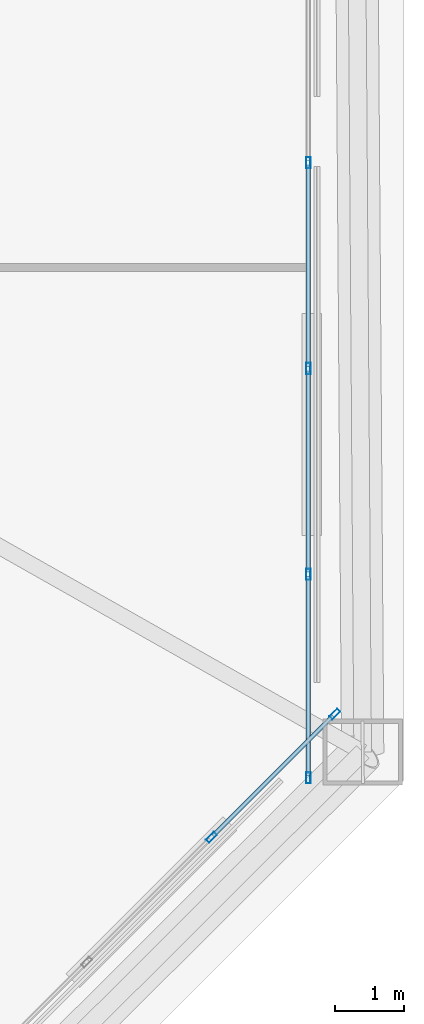
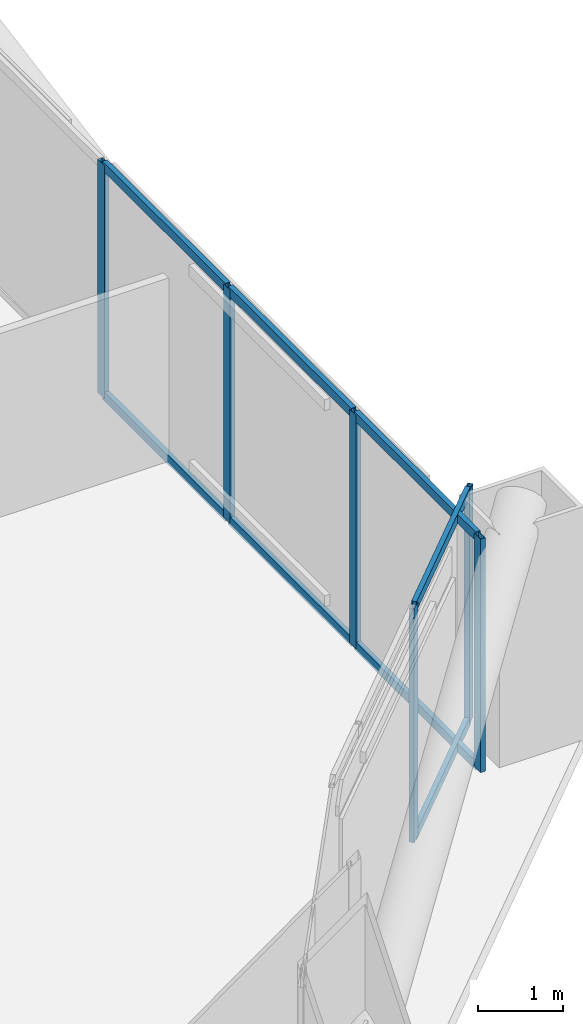
# One storey, part 25 of 50: 14 members, 2 elements without a shape of their own.
"""IFC4 building model written with IfcOpenShell, lengths in metres."""

from ifc_helpers import new_model, si_unit, direction, frame, origin, origin_2d, place, context, subcontext, project, spatial, hollow_rectangle, extrude, material, layer, layer_set, material_profile, profile_set, type_object, element, aggregate, save


model = new_model("IFC4")

# Units and contexts
model_context = context("Model", 3, precision=1e-05, world=origin(), true_north=direction((0.0, 1.0)))
body_context = subcontext(model_context, "Body", "Model", "MODEL_VIEW")
ifc_project = project(units=[si_unit("LENGTHUNIT", "METRE"), si_unit("AREAUNIT", "SQUARE_METRE"), si_unit("VOLUMEUNIT", "CUBIC_METRE"), si_unit("PLANEANGLEUNIT", "RADIAN"), si_unit("MASSUNIT", "GRAM", prefix="KILO")], contexts=[model_context])

# Site, building, storey
site_placement = place(None, origin())
site = spatial("IfcSite", under=ifc_project, at=site_placement, CompositionType="ELEMENT")
building_placement = place(site_placement, origin())
building = spatial("IfcBuilding", under=site, at=building_placement, Name="Caelvoria Tower", CompositionType="ELEMENT")
storey_placement = place(building_placement, frame((0.0, 0.0, 71.199951171875)))
storey = spatial("IfcBuildingStorey", under=building, at=storey_placement, Name="L18", CompositionType="ELEMENT", Elevation=71.199951171875)

# Curtain wall, members
ifc_material_1 = material(Name="Anodised Bronze Aluminium and Low-E Glass", Category="aluminium")
ifc_layer = layer(ifc_material_1, 0.18505859375, Name="Anodised Bronze Aluminium and Low-E Glass")
ifc_layer_set = layer_set([ifc_layer], Name="CW System 2 Lower Tower Bronze Unitised Facade - Anodised Bronze Aluminium and Low-E Glass")
curtain_wall_type = type_object("IfcCurtainWallType", Name="CW System 2 Lower Tower Bronze Unitised Facade", PredefinedType="NOTDEFINED", material=ifc_layer_set)
curtain_wall_1_placement = place(storey_placement, origin())
curtain_wall_1 = element("IfcCurtainWall", 1, at=curtain_wall_1_placement, inside=storey, type_object=curtain_wall_type, Name="CW-02 Curtain Wall L18-E1", PredefinedType="NOTDEFINED")
ifc_material_2 = material(Name="Anodised Bronze Architectural Aluminium", Category="aluminium")
ifc_material_profile_1 = material_profile(ifc_material_2, hollow_rectangle(XDim=0.06494140625, YDim=0.159912109375, WallThickness=0.00390625, at=origin_2d()), Name="Anodised Bronze Architectural Aluminium")
ifc_profile_set_1 = profile_set([ifc_material_profile_1], Name="CW_MULL_65X160 - Anodised Bronze Architectural Aluminium")
member_type_1 = type_object("IfcMemberType", Name="Curtain Wall Mullion 65x160 Bronze Aluminium", PredefinedType="MULLION", material=ifc_profile_set_1)
member_1_placement = place(storey_placement, frame((69.42431640625, 13.375732421875, 0.0), z_axis=(0.0, 0.0, 1.0), x_axis=(-0.707106781187, 0.707106781187, 0.0)))
member_1 = element("IfcMember", 2, at=member_1_placement, type_object=member_type_1, Name="CW-02 mullion 3", PredefinedType="MULLION", context=body_context, shape_type="SweptSolid", body=[
    extrude(hollow_rectangle(XDim=0.06494140625, YDim=0.159912109375, WallThickness=0.00390625, at=origin_2d()), origin(), (0.0, 0.0, 1.0), 3.360107421875),
])
member_2_placement = place(storey_placement, frame((71.201171875, 15.15283203125, 0.0), z_axis=(0.0, 0.0, 1.0), x_axis=(-0.707106781187, 0.707106781187, 0.0)))
member_2 = element("IfcMember", 3, at=member_2_placement, type_object=member_type_1, Name="CW-02 mullion 4", PredefinedType="MULLION", context=body_context, shape_type="SweptSolid", body=[
    extrude(hollow_rectangle(XDim=0.06494140625, YDim=0.159912109375, WallThickness=0.00390625, at=origin_2d()), origin(), (0.0, 0.0, 1.0), 3.360107421875),
])

curtain_wall_2_placement = place(storey_placement, origin())
curtain_wall_2 = element("IfcCurtainWall", 4, at=curtain_wall_2_placement, inside=storey, type_object=curtain_wall_type, Name="CW-02 Curtain Wall L18-E2", PredefinedType="NOTDEFINED")
member_3_placement = place(storey_placement, frame((70.820068359375, 14.232421875, 0.0), z_axis=(0.0, 0.0, 1.0), x_axis=(-1.0, 0.0, 0.0)))
member_3 = element("IfcMember", 5, at=member_3_placement, type_object=member_type_1, Name="CW-02 mullion 1", PredefinedType="MULLION", context=body_context, shape_type="SweptSolid", body=[
    extrude(hollow_rectangle(XDim=0.06494140625, YDim=0.159912109375, WallThickness=0.00390625, at=origin_2d()), origin(), (0.0, 0.0, 1.0), 3.360107421875),
])
member_4_placement = place(storey_placement, frame((70.820068359375, 17.166748046875, 0.0), z_axis=(0.0, 0.0, 1.0), x_axis=(-1.0, 0.0, 0.0)))
member_4 = element("IfcMember", 6, at=member_4_placement, type_object=member_type_1, Name="CW-02 mullion 2", PredefinedType="MULLION", context=body_context, shape_type="SweptSolid", body=[
    extrude(hollow_rectangle(XDim=0.06494140625, YDim=0.159912109375, WallThickness=0.00390625, at=origin_2d()), origin(), (0.0, 0.0, 1.0), 3.360107421875),
])
member_5_placement = place(storey_placement, frame((70.820068359375, 20.13330078125, 0.0), z_axis=(0.0, 0.0, 1.0), x_axis=(-1.0, 0.0, 0.0)))
member_5 = element("IfcMember", 7, at=member_5_placement, type_object=member_type_1, Name="CW-02 mullion 3", PredefinedType="MULLION", context=body_context, shape_type="SweptSolid", body=[
    extrude(hollow_rectangle(XDim=0.06494140625, YDim=0.159912109375, WallThickness=0.00390625, at=origin_2d()), origin(), (0.0, 0.0, 1.0), 3.360107421875),
])
member_6_placement = place(storey_placement, frame((70.820068359375, 23.10009765625, 0.0), z_axis=(0.0, 0.0, 1.0), x_axis=(-1.0, 0.0, 0.0)))
member_6 = element("IfcMember", 8, at=member_6_placement, type_object=member_type_1, Name="CW-02 mullion 4", PredefinedType="MULLION", context=body_context, shape_type="SweptSolid", body=[
    extrude(hollow_rectangle(XDim=0.06494140625, YDim=0.159912109375, WallThickness=0.00390625, at=origin_2d()), origin(), (0.0, 0.0, 1.0), 3.360107421875),
])

# Member
ifc_material_profile_2 = material_profile(ifc_material_2, hollow_rectangle(XDim=0.06494140625, YDim=0.1298828125, WallThickness=0.00341796875, at=origin_2d()), Name="Anodised Bronze Architectural Aluminium")
ifc_profile_set_2 = profile_set([ifc_material_profile_2], Name="CW_TRAN_65X130 - Anodised Bronze Architectural Aluminium")
member_type_2 = type_object("IfcMemberType", Name="Curtain Wall Transom 65x130 Bronze Aluminium", PredefinedType="USERDEFINED", material=ifc_profile_set_2)
member_7_placement = place(storey_placement, frame((69.447265625, 13.398681640625, 0.032470703125), z_axis=(0.707056916458, 0.707156642399, 0.0), x_axis=(-0.707156642399, 0.707056916458, 0.0)))
member_7 = element("IfcMember", 9, at=member_7_placement, type_object=member_type_2, Name="CW-02 transom 3.1", ObjectType="TRANSOM", PredefinedType="USERDEFINED", context=body_context, shape_type="SweptSolid", body=[
    extrude(hollow_rectangle(XDim=0.06494140625, YDim=0.1298828125, WallThickness=0.00341796875, at=origin_2d()), origin(), (0.0, 0.0, 1.0), 2.447998046875),
])

member_8_placement = place(storey_placement, frame((69.447265625, 13.398681640625, 3.32763671875), z_axis=(0.707056916458, 0.707156642399, 0.0), x_axis=(-0.707156642399, 0.707056916458, 0.0)))
member_8 = element("IfcMember", 10, at=member_8_placement, type_object=member_type_2, Name="CW-02 transom 3.2", ObjectType="TRANSOM", PredefinedType="USERDEFINED", context=body_context, shape_type="SweptSolid", body=[
    extrude(hollow_rectangle(XDim=0.06494140625, YDim=0.1298828125, WallThickness=0.00341796875, at=origin_2d()), origin(), (0.0, 0.0, 1.0), 2.447998046875),
])

aggregate(curtain_wall_1, [member_1, member_2, member_7, member_8])

member_9_placement = place(storey_placement, frame((70.820068359375, 14.264892578125, 0.032470703125), z_axis=(0.0, 1.0, 0.0), x_axis=(-1.0, 0.0, 0.0)))
member_9 = element("IfcMember", 11, at=member_9_placement, type_object=member_type_2, Name="CW-02 transom 1.1", ObjectType="TRANSOM", PredefinedType="USERDEFINED", context=body_context, shape_type="SweptSolid", body=[
    extrude(hollow_rectangle(XDim=0.06494140625, YDim=0.1298828125, WallThickness=0.00341796875, at=origin_2d()), origin(), (0.0, 0.0, 1.0), 2.869384765625),
])

member_10_placement = place(storey_placement, frame((70.820068359375, 14.264892578125, 3.32763671875), z_axis=(0.0, 1.0, 0.0), x_axis=(-1.0, 0.0, 0.0)))
member_10 = element("IfcMember", 12, at=member_10_placement, type_object=member_type_2, Name="CW-02 transom 1.2", ObjectType="TRANSOM", PredefinedType="USERDEFINED", context=body_context, shape_type="SweptSolid", body=[
    extrude(hollow_rectangle(XDim=0.06494140625, YDim=0.1298828125, WallThickness=0.00341796875, at=origin_2d()), origin(), (0.0, 0.0, 1.0), 2.869384765625),
])

member_11_placement = place(storey_placement, frame((70.820068359375, 17.19921875, 0.032470703125), z_axis=(0.0, 1.0, 0.0), x_axis=(-1.0, 0.0, 0.0)))
member_11 = element("IfcMember", 13, at=member_11_placement, type_object=member_type_2, Name="CW-02 transom 2.1", ObjectType="TRANSOM", PredefinedType="USERDEFINED", context=body_context, shape_type="SweptSolid", body=[
    extrude(hollow_rectangle(XDim=0.06494140625, YDim=0.1298828125, WallThickness=0.00341796875, at=origin_2d()), origin(), (0.0, 0.0, 1.0), 2.901611328125),
])

member_12_placement = place(storey_placement, frame((70.820068359375, 17.19921875, 3.32763671875), z_axis=(0.0, 1.0, 0.0), x_axis=(-1.0, 0.0, 0.0)))
member_12 = element("IfcMember", 14, at=member_12_placement, type_object=member_type_2, Name="CW-02 transom 2.2", ObjectType="TRANSOM", PredefinedType="USERDEFINED", context=body_context, shape_type="SweptSolid", body=[
    extrude(hollow_rectangle(XDim=0.06494140625, YDim=0.1298828125, WallThickness=0.00341796875, at=origin_2d()), origin(), (0.0, 0.0, 1.0), 2.901611328125),
])

member_13_placement = place(storey_placement, frame((70.820068359375, 20.165771484375, 0.032470703125), z_axis=(0.0, 1.0, 0.0), x_axis=(-1.0, 0.0, 0.0)))
member_13 = element("IfcMember", 15, at=member_13_placement, type_object=member_type_2, Name="CW-02 transom 3.1", ObjectType="TRANSOM", PredefinedType="USERDEFINED", context=body_context, shape_type="SweptSolid", body=[
    extrude(hollow_rectangle(XDim=0.06494140625, YDim=0.1298828125, WallThickness=0.00341796875, at=origin_2d()), origin(), (0.0, 0.0, 1.0), 2.901611328125),
])

member_14_placement = place(storey_placement, frame((70.820068359375, 20.165771484375, 3.32763671875), z_axis=(0.0, 1.0, 0.0), x_axis=(-1.0, 0.0, 0.0)))
member_14 = element("IfcMember", 16, at=member_14_placement, type_object=member_type_2, Name="CW-02 transom 3.2", ObjectType="TRANSOM", PredefinedType="USERDEFINED", context=body_context, shape_type="SweptSolid", body=[
    extrude(hollow_rectangle(XDim=0.06494140625, YDim=0.1298828125, WallThickness=0.00341796875, at=origin_2d()), origin(), (0.0, 0.0, 1.0), 2.901611328125),
])

aggregate(curtain_wall_2, [member_3, member_4, member_5, member_6, member_9, member_10, member_11, member_12, member_13, member_14])

save(model, "model.ifc")
